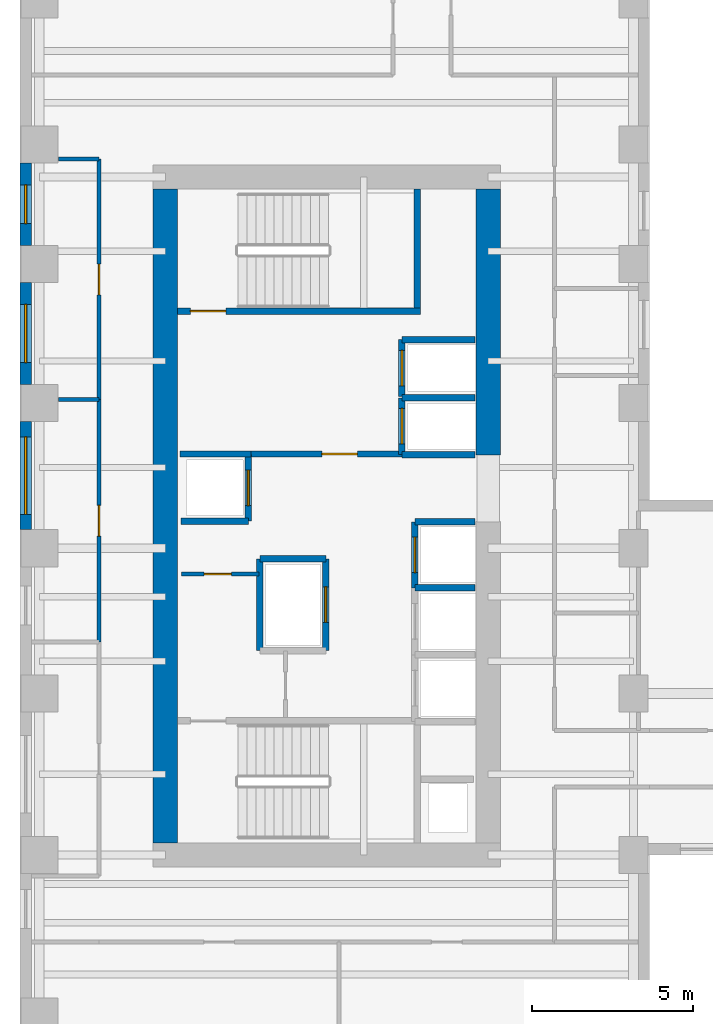
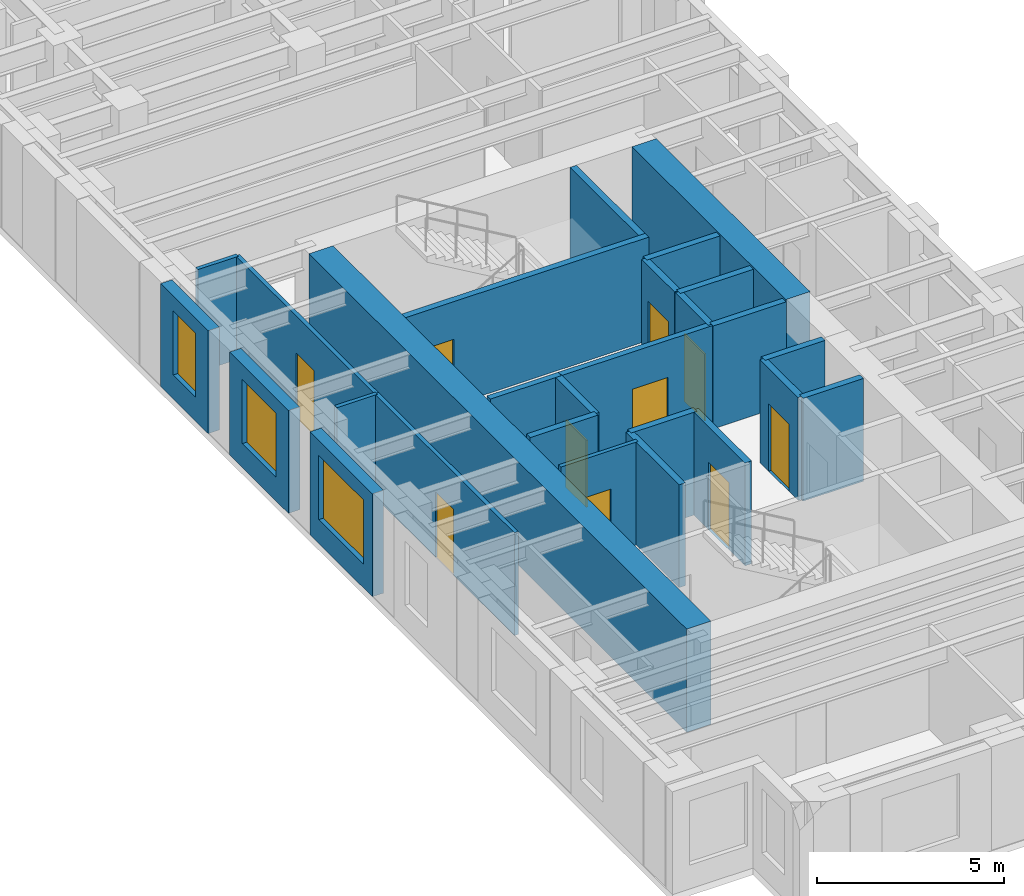
# One storey, part 6 of 12: 27 walls, 10 doors, 3 windows, 13 openings.
"""IFC4 building model written with IfcOpenShell, lengths in metres."""

from ifc_helpers import new_model, si_unit, direction, frame, frame_2d, origin, place, context, subcontext, project, spatial, rectangle, extrude, source, transform, mapped, material, layer, layer_set, type_object, element, fill, save


model = new_model("IFC4")

# Units and contexts
model_context = context("Model", 3, precision=1e-05, world=origin(), true_north=direction((0.0, 1.0)))
body_context = subcontext(model_context, "Body", "Model", "MODEL_VIEW")
ifc_project = project(units=[si_unit("LENGTHUNIT", "METRE"), si_unit("AREAUNIT", "SQUARE_METRE"), si_unit("VOLUMEUNIT", "CUBIC_METRE"), si_unit("PLANEANGLEUNIT", "RADIAN"), si_unit("MASSUNIT", "GRAM", prefix="KILO")], contexts=[model_context])

# Site, building, storey
site_placement = place(None, origin())
site = spatial("IfcSite", under=ifc_project, at=site_placement, CompositionType="ELEMENT")
building_placement = place(site_placement, origin())
building = spatial("IfcBuilding", under=site, at=building_placement, Name="Kharzan Plaza Tower", CompositionType="ELEMENT")
storey_placement = place(building_placement, frame((0.0, 0.0, 117.0)))
storey = spatial("IfcBuildingStorey", under=building, at=storey_placement, Name="L31", CompositionType="ELEMENT", Elevation=117.0)

# Wall, opening, window
ifc_material_1 = material(Name="Concrete C40/50", Category="concrete")
ifc_layer_1 = layer(ifc_material_1, 0.35009765625)
ifc_layer_set_1 = layer_set([ifc_layer_1], Name="Concrete C40/50")
wall_type_1 = type_object("IfcWallType", Name="WL-EXT-MAS-Z2", PredefinedType="SOLIDWALL", material=ifc_layer_set_1)
wall_1_placement = place(storey_placement, frame((0.175048828125, 29.927001953125, 0.0), z_axis=(0.0, 0.0, 1.0), x_axis=(0.0, -1.0, 0.0)))
wall_1 = element("IfcWall", 1, at=wall_1_placement, inside=storey, type_object=wall_type_1, Name="L31 Masonry-Frame Exterior Wall 20", PredefinedType="SOLIDWALL", context=body_context, shape_type="SweptSolid", body=[
    extrude(rectangle(XDim=2.553955078125, YDim=0.35009765625, at=frame_2d((1.27685546875, 0.0))), origin(), (0.0, 0.0, 1.0), 3.364990234375),
])
opening_1_placement = place(wall_1_placement, frame((0.677001953125, 0.0, 0.780029296875)))
opening_1 = element("IfcOpeningElement", 2, at=opening_1_placement, cuts=wall_1, Name="Opening W3", PredefinedType="OPENING", context=body_context, shape_type="SweptSolid", body=[
    extrude(rectangle(XDim=1.199951171875, YDim=2.10009765625, at=frame_2d((0.60009765625, 1.050048828125))), frame((0.0, 0.18505859375, 0.0), z_axis=(0.0, -1.0, 0.0), x_axis=(1.0, 0.0, 0.0)), (0.0, 0.0, 1.0), 0.3701171875),
])
ifc_material_2 = material(Name="Low-E Double Glazing", Category="glass")
window_type_1 = type_object("IfcWindowType", Name="WN-REC-1200x2100", PartitioningType="SINGLE_PANEL", PredefinedType="WINDOW", material=ifc_material_2)
shared_shape_1 = source(origin(), body_context, "Body", "SweptSolid", [
    extrude(rectangle(XDim=1.199951171875, YDim=2.10009765625, at=frame_2d((0.60009765625, 1.050048828125))), frame((0.0, 0.030029296875, 0.0), z_axis=(0.0, -1.0, 0.0), x_axis=(1.0, 0.0, 0.0)), (0.0, 0.0, 1.0), 0.06005859375),
])
window_1_placement = place(opening_1_placement, origin())
window_1 = element("IfcWindow", 3, at=window_1_placement, inside=storey, type_object=window_type_1, Name="L31 Recessed Solar-Control Window 20-1", OverallHeight=2.10009765625, OverallWidth=1.199951171875, PartitioningType="SINGLE_PANEL", PredefinedType="WINDOW", context=body_context, shape_type="MappedRepresentation", body=[
    mapped(shared_shape_1, transform((0.0, 0.0, 0.0), x_axis=(1.0, 0.0, 0.0), y_axis=(0.0, 1.0, 0.0), z_axis=(0.0, 0.0, 1.0))),
])
fill(opening_1, window_1)

wall_2_placement = place(storey_placement, frame((0.175048828125, 26.22705078125, 0.0), z_axis=(0.0, 0.0, 1.0), x_axis=(0.0, -1.0, 0.0)))
wall_2 = element("IfcWall", 4, at=wall_2_placement, inside=storey, type_object=wall_type_1, Name="L31 Masonry-Frame Exterior Wall 21", PredefinedType="SOLIDWALL", context=body_context, shape_type="SweptSolid", body=[
    extrude(rectangle(XDim=3.154052734375, YDim=0.35009765625, at=frame_2d((1.5771484375, 0.0))), origin(), (0.0, 0.0, 1.0), 3.364990234375),
])
opening_2_placement = place(wall_2_placement, frame((0.677001953125, 0.0, 0.780029296875)))
opening_2 = element("IfcOpeningElement", 5, at=opening_2_placement, cuts=wall_2, Name="Opening W1", PredefinedType="OPENING", context=body_context, shape_type="SweptSolid", body=[
    extrude(rectangle(XDim=1.800048828125, YDim=2.10009765625, at=frame_2d((0.89990234375, 1.050048828125))), frame((0.0, 0.18505859375, 0.0), z_axis=(0.0, -1.0, 0.0), x_axis=(1.0, 0.0, 0.0)), (0.0, 0.0, 1.0), 0.3701171875),
])
window_type_2 = type_object("IfcWindowType", Name="WN-REC-1800x2100", PartitioningType="SINGLE_PANEL", PredefinedType="WINDOW", material=ifc_material_2)
shared_shape_2 = source(origin(), body_context, "Body", "SweptSolid", [
    extrude(rectangle(XDim=1.800048828125, YDim=2.10009765625, at=frame_2d((0.89990234375, 1.050048828125))), frame((0.0, 0.030029296875, 0.0), z_axis=(0.0, -1.0, 0.0), x_axis=(1.0, 0.0, 0.0)), (0.0, 0.0, 1.0), 0.06005859375),
])
window_2_placement = place(opening_2_placement, origin())
window_2 = element("IfcWindow", 6, at=window_2_placement, inside=storey, type_object=window_type_2, Name="L31 Recessed Solar-Control Window 21-1", OverallHeight=2.10009765625, OverallWidth=1.800048828125, PartitioningType="SINGLE_PANEL", PredefinedType="WINDOW", context=body_context, shape_type="MappedRepresentation", body=[
    mapped(shared_shape_2, transform((0.0, 0.0, 0.0), x_axis=(1.0, 0.0, 0.0), y_axis=(0.0, 1.0, 0.0), z_axis=(0.0, 0.0, 1.0))),
])
fill(opening_2, window_2)

wall_3_placement = place(storey_placement, frame((0.175048828125, 21.927001953125, 0.0), z_axis=(0.0, 0.0, 1.0), x_axis=(0.0, -1.0, 0.0)))
wall_3 = element("IfcWall", 7, at=wall_3_placement, inside=storey, type_object=wall_type_1, Name="L31 Masonry-Frame Exterior Wall 22", PredefinedType="SOLIDWALL", context=body_context, shape_type="SweptSolid", body=[
    extrude(rectangle(XDim=3.35400390625, YDim=0.35009765625, at=frame_2d((1.677001953125, 0.0))), origin(), (0.0, 0.0, 1.0), 3.364990234375),
])
opening_3_placement = place(wall_3_placement, frame((0.47705078125, 0.0, 0.780029296875)))
opening_3 = element("IfcOpeningElement", 8, at=opening_3_placement, cuts=wall_3, Name="Opening W2", PredefinedType="OPENING", context=body_context, shape_type="SweptSolid", body=[
    extrude(rectangle(XDim=2.39990234375, YDim=2.10009765625, at=frame_2d((1.199951171875, 1.050048828125))), frame((0.0, 0.18505859375, 0.0), z_axis=(0.0, -1.0, 0.0), x_axis=(1.0, 0.0, 0.0)), (0.0, 0.0, 1.0), 0.3701171875),
])
window_type_3 = type_object("IfcWindowType", Name="WN-REC-2400x2100", PartitioningType="SINGLE_PANEL", PredefinedType="WINDOW", material=ifc_material_2)
shared_shape_3 = source(origin(), body_context, "Body", "SweptSolid", [
    extrude(rectangle(XDim=2.39990234375, YDim=2.10009765625, at=frame_2d((1.199951171875, 1.050048828125))), frame((0.0, 0.030029296875, 0.0), z_axis=(0.0, -1.0, 0.0), x_axis=(1.0, 0.0, 0.0)), (0.0, 0.0, 1.0), 0.06005859375),
])
window_3_placement = place(opening_3_placement, origin())
window_3 = element("IfcWindow", 9, at=window_3_placement, inside=storey, type_object=window_type_3, Name="L31 Wide Recessed Solar-Control Window 22-1", OverallHeight=2.10009765625, OverallWidth=2.39990234375, PartitioningType="SINGLE_PANEL", PredefinedType="WINDOW", context=body_context, shape_type="MappedRepresentation", body=[
    mapped(shared_shape_3, transform((0.0, 0.0, 0.0), x_axis=(1.0, 0.0, 0.0), y_axis=(0.0, 1.0, 0.0), z_axis=(0.0, 0.0, 1.0))),
])
fill(opening_3, window_3)

# Wall, opening, door
ifc_layer_2 = layer(ifc_material_1, 0.179931640625)
ifc_layer_set_2 = layer_set([ifc_layer_2], Name="Concrete C40/50")
wall_type_2 = type_object("IfcWallType", Name="WL-INT-FIRE-180", PredefinedType="PARTITIONING", material=ifc_layer_set_2)
wall_4_placement = place(storey_placement, frame((7.14990234375, 20.919921875, 0.0), z_axis=(0.0, 0.0, 1.0), x_axis=(1.0, 0.0, 0.0)))
wall_4 = element("IfcWall", 10, at=wall_4_placement, inside=storey, type_object=wall_type_2, Name="L31 Interior Partition CA-FF-S", PredefinedType="PARTITIONING", context=body_context, shape_type="SweptSolid", body=[
    extrude(rectangle(XDim=4.68017578125, YDim=0.179931640625, at=frame_2d((2.340087890625, 0.0))), origin(), (0.0, 0.0, 1.0), 3.364990234375),
])
opening_4_placement = place(wall_4_placement, frame((2.199951171875, 0.0, 0.0)))
opening_4 = element("IfcOpeningElement", 11, at=opening_4_placement, cuts=wall_4, Name="Opening FD1", PredefinedType="OPENING", context=body_context, shape_type="SweptSolid", body=[
    extrude(rectangle(XDim=1.10009765625, YDim=2.14990234375, at=frame_2d((0.550048828125, 1.074951171875))), frame((0.0, 0.099853515625, 0.0), z_axis=(0.0, -1.0, 0.0), x_axis=(1.0, 0.0, 0.0)), (0.0, 0.0, 1.0), 0.199951171875),
])
ifc_material_3 = material(Name="Fire-Rated Acoustic Vision-Panel Steel", Category="steel")
door_type_1 = type_object("IfcDoorType", Name="DR-FIRE-LOBBY", OperationType="NOTDEFINED", PredefinedType="DOOR", material=ifc_material_3)
shared_shape_4 = source(origin(), body_context, "Body", "SweptSolid", [
    extrude(rectangle(XDim=1.10009765625, YDim=2.14990234375, at=frame_2d((0.550048828125, 1.074951171875))), frame((0.0, 0.02490234375, 0.0), z_axis=(0.0, -1.0, 0.0), x_axis=(1.0, 0.0, 0.0)), (0.0, 0.0, 1.0), 0.050048828125),
])
door_1_placement = place(opening_4_placement, origin())
door_1 = element("IfcDoor", 12, at=door_1_placement, inside=storey, type_object=door_type_1, Name="L31 Firefighting Lobby Door", OperationType="SINGLE_SWING_RIGHT", OverallHeight=2.14990234375, OverallWidth=1.10009765625, PredefinedType="DOOR", context=body_context, shape_type="MappedRepresentation", body=[
    mapped(shared_shape_4, transform((0.0, 0.0, 0.0), x_axis=(1.0, 0.0, 0.0), y_axis=(0.0, 1.0, 0.0), z_axis=(0.0, 0.0, 1.0))),
])
fill(opening_4, door_1)

ifc_material_4 = material(Name="Fire-Rated Gypsum Board Partition", Category="gypsum")
ifc_layer_3 = layer(ifc_material_4, 0.125)
ifc_layer_set_3 = layer_set([ifc_layer_3], Name="Fire-Rated Gypsum Board Partition")
wall_type_3 = type_object("IfcWallType", Name="WL-INT-PART-125", PredefinedType="PARTITIONING", material=ifc_layer_set_3)
wall_5_placement = place(storey_placement, frame((5.0, 17.199951171875, 0.0), z_axis=(0.0, 0.0, 1.0), x_axis=(1.0, 0.0, 0.0)))
wall_5 = element("IfcWall", 13, at=wall_5_placement, inside=storey, type_object=wall_type_3, Name="L31 Interior Partition CA-K1N2", PredefinedType="PARTITIONING", context=body_context, shape_type="SweptSolid", body=[
    extrude(rectangle(XDim=2.39990234375, YDim=0.125, at=frame_2d((1.199951171875, 0.0))), origin(), (0.0, 0.0, 1.0), 3.364990234375),
])
opening_5_placement = place(wall_5_placement, frame((0.699951171875, 0.0, 0.0)))
opening_5 = element("IfcOpeningElement", 14, at=opening_5_placement, cuts=wall_5, Name="Opening RD1", PredefinedType="OPENING", context=body_context, shape_type="SweptSolid", body=[
    extrude(rectangle(XDim=0.85009765625, YDim=2.10009765625, at=frame_2d((0.425048828125, 1.050048828125))), frame((0.0, 0.072509765625, 0.0), z_axis=(0.0, -1.0, 0.0), x_axis=(1.0, 0.0, 0.0)), (0.0, 0.0, 1.0), 0.14501953125),
])
ifc_material_5 = material(Name="Powder-Coated Fire-Rated Steel", Category="steel")
door_type_2 = type_object("IfcDoorType", Name="DR-RISER-900", OperationType="NOTDEFINED", PredefinedType="DOOR", material=ifc_material_5)
shared_shape_5 = source(origin(), body_context, "Body", "SweptSolid", [
    extrude(rectangle(XDim=0.85009765625, YDim=2.10009765625, at=frame_2d((0.425048828125, 1.050048828125))), frame((0.0, 0.02490234375, 0.0), z_axis=(0.0, -1.0, 0.0), x_axis=(1.0, 0.0, 0.0)), (0.0, 0.0, 1.0), 0.050048828125),
])
door_2_placement = place(opening_5_placement, origin())
door_2 = element("IfcDoor", 15, at=door_2_placement, inside=storey, type_object=door_type_2, Name="L31 Core Storage Room Door", OperationType="SINGLE_SWING_LEFT", OverallHeight=2.10009765625, OverallWidth=0.85009765625, PredefinedType="DOOR", context=body_context, shape_type="MappedRepresentation", body=[
    mapped(shared_shape_5, transform((0.0, 0.0, 0.0), x_axis=(1.0, 0.0, 0.0), y_axis=(0.0, 1.0, 0.0), z_axis=(0.0, 0.0, 1.0))),
])
fill(opening_5, door_2)

wall_6_placement = place(storey_placement, frame((2.449951171875, 15.10009765625, 0.0), z_axis=(0.0, 0.0, 1.0), x_axis=(0.0, 1.0, 0.0)))
wall_6 = element("IfcWall", 16, at=wall_6_placement, inside=storey, type_object=wall_type_3, Name="L31 Interior Partition SH-WW-2", PredefinedType="PARTITIONING", context=body_context, shape_type="SweptSolid", body=[
    extrude(rectangle(XDim=7.5, YDim=0.125, at=frame_2d((3.75, 0.0))), origin(), (0.0, 0.0, 1.0), 3.364990234375),
])
opening_6_placement = place(wall_6_placement, frame((3.27490234375, 0.0, 0.0)))
opening_6 = element("IfcOpeningElement", 17, at=opening_6_placement, cuts=wall_6, Name="Opening OD1", PredefinedType="OPENING", context=body_context, shape_type="SweptSolid", body=[
    extrude(rectangle(XDim=0.949951171875, YDim=2.14990234375, at=frame_2d((0.47509765625, 1.074951171875))), frame((0.0, 0.072509765625, 0.0), z_axis=(0.0, -1.0, 0.0), x_axis=(1.0, 0.0, 0.0)), (0.0, 0.0, 1.0), 0.14501953125),
])
ifc_material_6 = material(Name="Acoustic Solid-Core Stained Oak", Category="timber")
door_type_3 = type_object("IfcDoorType", Name="DR-OFF-SINGLE", OperationType="NOTDEFINED", PredefinedType="DOOR", material=ifc_material_6)
shared_shape_6 = source(origin(), body_context, "Body", "SweptSolid", [
    extrude(rectangle(XDim=0.949951171875, YDim=2.14990234375, at=frame_2d((0.47509765625, 1.074951171875))), frame((0.0, 0.02490234375, 0.0), z_axis=(0.0, -1.0, 0.0), x_axis=(1.0, 0.0, 0.0)), (0.0, 0.0, 1.0), 0.050048828125),
])
door_3_placement = place(opening_6_placement, origin())
door_3 = element("IfcDoor", 18, at=door_3_placement, inside=storey, type_object=door_type_3, Name="L31 Operations Control Office Door", OperationType="SINGLE_SWING_LEFT", OverallHeight=2.14990234375, OverallWidth=0.949951171875, PredefinedType="DOOR", context=body_context, shape_type="MappedRepresentation", body=[
    mapped(shared_shape_6, transform((0.0, 0.0, 0.0), x_axis=(1.0, 0.0, 0.0), y_axis=(0.0, 1.0, 0.0), z_axis=(0.0, 0.0, 1.0))),
])
fill(opening_6, door_3)

wall_7_placement = place(storey_placement, frame((2.449951171875, 22.60009765625, 0.0), z_axis=(0.0, 0.0, 1.0), x_axis=(0.0, 1.0, 0.0)))
wall_7 = element("IfcWall", 19, at=wall_7_placement, inside=storey, type_object=wall_type_3, Name="L31 Interior Partition SH-WW-3", PredefinedType="PARTITIONING", context=body_context, shape_type="SweptSolid", body=[
    extrude(rectangle(XDim=7.449951171875, YDim=0.125, at=frame_2d((3.72509765625, 0.0))), origin(), (0.0, 0.0, 1.0), 3.364990234375),
])
opening_7_placement = place(wall_7_placement, frame((3.25, 0.0, 0.0)))
opening_7 = element("IfcOpeningElement", 20, at=opening_7_placement, cuts=wall_7, Name="Opening OD1", PredefinedType="OPENING", context=body_context, shape_type="SweptSolid", body=[
    extrude(rectangle(XDim=0.949951171875, YDim=2.14990234375, at=frame_2d((0.47509765625, 1.074951171875))), frame((0.0, 0.072509765625, 0.0), z_axis=(0.0, -1.0, 0.0), x_axis=(1.0, 0.0, 0.0)), (0.0, 0.0, 1.0), 0.14501953125),
])
door_4_placement = place(opening_7_placement, origin())
door_4 = element("IfcDoor", 21, at=door_4_placement, inside=storey, type_object=door_type_3, Name="L31 HSE Management Office Door", OperationType="SINGLE_SWING_RIGHT", OverallHeight=2.14990234375, OverallWidth=0.949951171875, PredefinedType="DOOR", context=body_context, shape_type="MappedRepresentation", body=[
    mapped(shared_shape_6, transform((0.0, 0.0, 0.0), x_axis=(1.0, 0.0, 0.0), y_axis=(0.0, 1.0, 0.0), z_axis=(0.0, 0.0, 1.0))),
])
fill(opening_7, door_4)

ifc_layer_4 = layer(ifc_material_1, 0.199951171875)
ifc_layer_set_4 = layer_set([ifc_layer_4], Name="Concrete C40/50")
wall_type_4 = type_object("IfcWallType", Name="WL-INT-SHAFT-200", PredefinedType="PARTITIONING", material=ifc_layer_set_4)
wall_8_placement = place(storey_placement, frame((11.830078125, 20.89990234375, 0.0), z_axis=(0.0, 0.0, 1.0), x_axis=(0.0, 1.0, 0.0)))
wall_8 = element("IfcWall", 22, at=wall_8_placement, inside=storey, type_object=wall_type_4, Name="L31 Interior Partition SHF-FFL-1-W", PredefinedType="PARTITIONING", context=body_context, shape_type="SweptSolid", body=[
    extrude(rectangle(XDim=1.760009765625, YDim=0.199951171875, at=frame_2d((0.8798828125, 0.0))), origin(), (0.0, 0.0, 1.0), 3.364990234375),
])
opening_8_placement = place(wall_8_placement, frame((0.330078125, 0.0, 0.0)))
opening_8 = element("IfcOpeningElement", 23, at=opening_8_placement, cuts=wall_8, Name="Opening LD", PredefinedType="OPENING", context=body_context, shape_type="SweptSolid", body=[
    extrude(rectangle(XDim=1.10009765625, YDim=2.199951171875, at=frame_2d((0.550048828125, 1.10009765625))), frame((0.0, 0.10986328125, 0.0), z_axis=(0.0, -1.0, 0.0), x_axis=(1.0, 0.0, 0.0)), (0.0, 0.0, 1.0), 0.219970703125),
])
ifc_material_7 = material(Name="Brushed Stainless Steel", Category="steel")
door_type_4 = type_object("IfcDoorType", Name="DR-LIFT-SLIDE", OperationType="SLIDING_TO_LEFT", PredefinedType="DOOR", material=ifc_material_7)
shared_shape_7 = source(origin(), body_context, "Body", "SweptSolid", [
    extrude(rectangle(XDim=1.10009765625, YDim=2.199951171875, at=frame_2d((0.550048828125, 1.10009765625))), frame((0.0, 0.02490234375, 0.0), z_axis=(0.0, -1.0, 0.0), x_axis=(1.0, 0.0, 0.0)), (0.0, 0.0, 1.0), 0.050048828125),
])
door_5_placement = place(opening_8_placement, origin())
door_5 = element("IfcDoor", 24, at=door_5_placement, inside=storey, type_object=door_type_4, Name="L31 Firefighting Lift FFL-1 Sliding Landing Door", OperationType="SLIDING_TO_LEFT", OverallHeight=2.199951171875, OverallWidth=1.10009765625, PredefinedType="DOOR", context=body_context, shape_type="MappedRepresentation", body=[
    mapped(shared_shape_7, transform((0.0, 0.0, 0.0), x_axis=(1.0, 0.0, 0.0), y_axis=(0.0, 1.0, 0.0), z_axis=(0.0, 0.0, 1.0))),
])
fill(opening_8, door_5)

wall_9_placement = place(storey_placement, frame((11.830078125, 22.699951171875, 0.0), z_axis=(0.0, 0.0, 1.0), x_axis=(0.0, 1.0, 0.0)))
wall_9 = element("IfcWall", 25, at=wall_9_placement, inside=storey, type_object=wall_type_4, Name="L31 Interior Partition SHF-FFL-2-W", PredefinedType="PARTITIONING", context=body_context, shape_type="SweptSolid", body=[
    extrude(rectangle(XDim=1.760009765625, YDim=0.199951171875, at=frame_2d((0.8798828125, 0.0))), origin(), (0.0, 0.0, 1.0), 3.364990234375),
])
opening_9_placement = place(wall_9_placement, frame((0.330078125, 0.0, 0.0)))
opening_9 = element("IfcOpeningElement", 26, at=opening_9_placement, cuts=wall_9, Name="Opening LD", PredefinedType="OPENING", context=body_context, shape_type="SweptSolid", body=[
    extrude(rectangle(XDim=1.10009765625, YDim=2.199951171875, at=frame_2d((0.550048828125, 1.10009765625))), frame((0.0, 0.10986328125, 0.0), z_axis=(0.0, -1.0, 0.0), x_axis=(1.0, 0.0, 0.0)), (0.0, 0.0, 1.0), 0.219970703125),
])
door_6_placement = place(opening_9_placement, origin())
door_6 = element("IfcDoor", 27, at=door_6_placement, inside=storey, type_object=door_type_4, Name="L31 Firefighting Lift FFL-2 Sliding Landing Door", OperationType="SLIDING_TO_LEFT", OverallHeight=2.199951171875, OverallWidth=1.10009765625, PredefinedType="DOOR", context=body_context, shape_type="MappedRepresentation", body=[
    mapped(shared_shape_7, transform((0.0, 0.0, 0.0), x_axis=(1.0, 0.0, 0.0), y_axis=(0.0, 1.0, 0.0), z_axis=(0.0, 0.0, 1.0))),
])
fill(opening_9, door_6)

wall_10_placement = place(storey_placement, frame((12.22998046875, 16.77001953125, 0.0), z_axis=(0.0, 0.0, 1.0), x_axis=(0.0, 1.0, 0.0)))
wall_10 = element("IfcWall", 28, at=wall_10_placement, inside=storey, type_object=wall_type_4, Name="L31 Interior Partition SHF-PL-H3-W", PredefinedType="PARTITIONING", context=body_context, shape_type="SweptSolid", body=[
    extrude(rectangle(XDim=2.050048828125, YDim=0.199951171875, at=frame_2d((1.02490234375, 0.0))), origin(), (0.0, 0.0, 1.0), 3.364990234375),
])
opening_10_placement = place(wall_10_placement, frame((0.47509765625, 0.0, 0.0)))
opening_10 = element("IfcOpeningElement", 29, at=opening_10_placement, cuts=wall_10, Name="Opening LD", PredefinedType="OPENING", context=body_context, shape_type="SweptSolid", body=[
    extrude(rectangle(XDim=1.10009765625, YDim=2.199951171875, at=frame_2d((0.550048828125, 1.10009765625))), frame((0.0, 0.10986328125, 0.0), z_axis=(0.0, -1.0, 0.0), x_axis=(1.0, 0.0, 0.0)), (0.0, 0.0, 1.0), 0.219970703125),
])
door_7_placement = place(opening_10_placement, origin())
door_7 = element("IfcDoor", 30, at=door_7_placement, inside=storey, type_object=door_type_4, Name="L31 High-Rise Passenger Lift PL-H3 Sliding Landing Door", OperationType="SLIDING_TO_LEFT", OverallHeight=2.199951171875, OverallWidth=1.10009765625, PredefinedType="DOOR", context=body_context, shape_type="MappedRepresentation", body=[
    mapped(shared_shape_7, transform((0.0, 0.0, 0.0), x_axis=(1.0, 0.0, 0.0), y_axis=(0.0, 1.0, 0.0), z_axis=(0.0, 0.0, 1.0))),
])
fill(opening_10, door_7)

wall_11_placement = place(storey_placement, frame((7.070068359375, 18.840087890625, 0.0), z_axis=(0.0, 0.0, 1.0), x_axis=(0.0, 1.0, 0.0)))
wall_11 = element("IfcWall", 31, at=wall_11_placement, inside=storey, type_object=wall_type_4, Name="L31 Interior Partition SHF-PL-H4-E", PredefinedType="PARTITIONING", context=body_context, shape_type="SweptSolid", body=[
    extrude(rectangle(XDim=2.059814453125, YDim=0.199951171875, at=frame_2d((1.02978515625, 0.0))), origin(), (0.0, 0.0, 1.0), 3.364990234375),
])
opening_11_placement = place(wall_11_placement, frame((0.47998046875, 0.0, 0.0)))
opening_11 = element("IfcOpeningElement", 32, at=opening_11_placement, cuts=wall_11, Name="Opening LD", PredefinedType="OPENING", context=body_context, shape_type="SweptSolid", body=[
    extrude(rectangle(XDim=1.10009765625, YDim=2.199951171875, at=frame_2d((0.550048828125, 1.10009765625))), frame((0.0, 0.10986328125, 0.0), z_axis=(0.0, -1.0, 0.0), x_axis=(1.0, 0.0, 0.0)), (0.0, 0.0, 1.0), 0.219970703125),
])
door_8_placement = place(opening_11_placement, origin())
door_8 = element("IfcDoor", 33, at=door_8_placement, inside=storey, type_object=door_type_4, Name="L31 High-Rise Passenger Lift PL-H4 Sliding Landing Door", OperationType="SLIDING_TO_LEFT", OverallHeight=2.199951171875, OverallWidth=1.10009765625, PredefinedType="DOOR", context=body_context, shape_type="MappedRepresentation", body=[
    mapped(shared_shape_7, transform((0.0, 0.0, 0.0), x_axis=(1.0, 0.0, 0.0), y_axis=(0.0, 1.0, 0.0), z_axis=(0.0, 0.0, 1.0))),
])
fill(opening_11, door_8)

wall_12_placement = place(storey_placement, frame((9.469970703125, 14.830078125, 0.0), z_axis=(0.0, 0.0, 1.0), x_axis=(0.0, 1.0, 0.0)))
wall_12 = element("IfcWall", 34, at=wall_12_placement, inside=storey, type_object=wall_type_4, Name="L31 Interior Partition SHF-SVL-1-E", PredefinedType="PARTITIONING", context=body_context, shape_type="SweptSolid", body=[
    extrude(rectangle(XDim=2.83984375, YDim=0.199951171875, at=frame_2d((1.419921875, 0.0))), origin(), (0.0, 0.0, 1.0), 3.364990234375),
])
opening_12_placement = place(wall_12_placement, frame((0.8701171875, 0.0, 0.0)))
opening_12 = element("IfcOpeningElement", 35, at=opening_12_placement, cuts=wall_12, Name="Opening LD", PredefinedType="OPENING", context=body_context, shape_type="SweptSolid", body=[
    extrude(rectangle(XDim=1.10009765625, YDim=2.199951171875, at=frame_2d((0.550048828125, 1.10009765625))), frame((0.0, 0.10986328125, 0.0), z_axis=(0.0, -1.0, 0.0), x_axis=(1.0, 0.0, 0.0)), (0.0, 0.0, 1.0), 0.219970703125),
])
door_9_placement = place(opening_12_placement, origin())
door_9 = element("IfcDoor", 36, at=door_9_placement, inside=storey, type_object=door_type_4, Name="L31 Service Lift SVL-1 Sliding Landing Door", OperationType="SLIDING_TO_LEFT", OverallHeight=2.199951171875, OverallWidth=1.10009765625, PredefinedType="DOOR", context=body_context, shape_type="MappedRepresentation", body=[
    mapped(shared_shape_7, transform((0.0, 0.0, 0.0), x_axis=(1.0, 0.0, 0.0), y_axis=(0.0, 1.0, 0.0), z_axis=(0.0, 0.0, 1.0))),
])
fill(opening_12, door_9)

ifc_material_8 = material(Name="Concrete C50/60", Category="concrete")
ifc_layer_5 = layer(ifc_material_8, 0.199951171875)
ifc_layer_set_5 = layer_set([ifc_layer_5], Name="Concrete C50/60")
wall_type_5 = type_object("IfcWallType", Name="WL-SHAFT-RC200", PredefinedType="SHEAR", material=ifc_layer_set_5)
wall_13_placement = place(storey_placement, frame((4.876953125, 25.344970703125, 0.0), z_axis=(0.0, 0.0, 1.0), x_axis=(1.0, 0.0, 0.0)))
wall_13 = element("IfcWall", 37, at=wall_13_placement, inside=storey, type_object=wall_type_5, Name="L31 Stair ST-2 South RC Shaft Wall", PredefinedType="SHEAR", context=body_context, shape_type="SweptSolid", body=[
    extrude(rectangle(XDim=7.528076171875, YDim=0.199951171875, at=frame_2d((3.76416015625, 0.0))), origin(), (0.0, 0.0, 1.0), 3.3798828125),
])
opening_13_placement = place(wall_13_placement, frame((0.39990234375, 0.0, 0.0)))
opening_13 = element("IfcOpeningElement", 38, at=opening_13_placement, cuts=wall_13, Name="Opening SD1", PredefinedType="OPENING", context=body_context, shape_type="SweptSolid", body=[
    extrude(rectangle(XDim=1.10009765625, YDim=2.14990234375, at=frame_2d((0.550048828125, 1.074951171875))), frame((0.0, 0.10986328125, 0.0), z_axis=(0.0, -1.0, 0.0), x_axis=(1.0, 0.0, 0.0)), (0.0, 0.0, 1.0), 0.219970703125),
])
ifc_material_9 = material(Name="Fire-Rated Hollow Galvanized Steel", Category="steel")
door_type_5 = type_object("IfcDoorType", Name="DR-STAIR-FD120", OperationType="NOTDEFINED", PredefinedType="DOOR", material=ifc_material_9)
shared_shape_8 = source(origin(), body_context, "Body", "SweptSolid", [
    extrude(rectangle(XDim=1.10009765625, YDim=2.14990234375, at=frame_2d((0.550048828125, 1.074951171875))), frame((0.0, 0.02490234375, 0.0), z_axis=(0.0, -1.0, 0.0), x_axis=(1.0, 0.0, 0.0)), (0.0, 0.0, 1.0), 0.050048828125),
])
door_10_placement = place(opening_13_placement, origin())
door_10 = element("IfcDoor", 39, at=door_10_placement, inside=storey, type_object=door_type_5, Name="L31 Stair ST-2 Fire Exit Door", OperationType="SINGLE_SWING_LEFT", OverallHeight=2.14990234375, OverallWidth=1.10009765625, PredefinedType="DOOR", context=body_context, shape_type="MappedRepresentation", body=[
    mapped(shared_shape_8, transform((0.0, 0.0, 0.0), x_axis=(1.0, 0.0, 0.0), y_axis=(0.0, 1.0, 0.0), z_axis=(0.0, 0.0, 1.0))),
])
fill(opening_13, door_10)

# Walls
shared_shape_9 = source(origin(), body_context, "Body", "SweptSolid", [
    extrude(rectangle(XDim=2.090087890625, YDim=0.199951171875, at=frame_2d((1.044921875, 0.0))), origin(), (0.0, 0.0, 1.0), 3.364990234375),
])
wall_14_placement = place(storey_placement, frame((4.97998046875, 18.840087890625, 0.0), z_axis=(0.0, 0.0, 1.0), x_axis=(1.0, 0.0, 0.0)))
element("IfcWall", 40, at=wall_14_placement, inside=storey, type_object=wall_type_4, Name="L31 Interior Partition SHF-PL-H4-S", PredefinedType="PARTITIONING", context=body_context, shape_type="MappedRepresentation", body=[
    mapped(shared_shape_9, transform((0.0, 0.0, 0.0), x_axis=(1.0, 0.0, 0.0), y_axis=(0.0, 1.0, 0.0), z_axis=(0.0, 0.0, 1.0))),
])
shared_shape_10 = source(origin(), body_context, "Body", "SweptSolid", [
    extrude(rectangle(XDim=2.0400390625, YDim=0.199951171875, at=frame_2d((1.02001953125, 0.0))), origin(), (0.0, 0.0, 1.0), 3.364990234375),
])
wall_15_placement = place(storey_placement, frame((7.429931640625, 17.669921875, 0.0), z_axis=(0.0, 0.0, 1.0), x_axis=(1.0, 0.0, 0.0)))
element("IfcWall", 41, at=wall_15_placement, inside=storey, type_object=wall_type_4, Name="L31 Interior Partition SHF-SVL-1-N", PredefinedType="PARTITIONING", context=body_context, shape_type="MappedRepresentation", body=[
    mapped(shared_shape_10, transform((0.0, 0.0, 0.0), x_axis=(1.0, 0.0, 0.0), y_axis=(0.0, 1.0, 0.0), z_axis=(0.0, 0.0, 1.0))),
])
shared_shape_11 = source(origin(), body_context, "Body", "SweptSolid", [
    extrude(rectangle(XDim=2.83984375, YDim=0.199951171875, at=frame_2d((1.419921875, 0.0))), origin(), (0.0, 0.0, 1.0), 3.364990234375),
])
wall_16_placement = place(storey_placement, frame((7.429931640625, 14.830078125, 0.0), z_axis=(0.0, 0.0, 1.0), x_axis=(0.0, 1.0, 0.0)))
element("IfcWall", 42, at=wall_16_placement, inside=storey, type_object=wall_type_4, Name="L31 Interior Partition SHF-SVL-1-W", PredefinedType="PARTITIONING", context=body_context, shape_type="MappedRepresentation", body=[
    mapped(shared_shape_11, transform((0.0, 0.0, 0.0), x_axis=(1.0, 0.0, 0.0), y_axis=(0.0, 1.0, 0.0), z_axis=(0.0, 0.0, 1.0))),
])
shared_shape_12 = source(origin(), body_context, "Body", "SweptSolid", [
    extrude(rectangle(XDim=2.199951171875, YDim=0.179931640625, at=frame_2d((1.10009765625, 0.0))), origin(), (0.0, 0.0, 1.0), 3.364990234375),
])
wall_17_placement = place(storey_placement, frame((4.949951171875, 20.919921875, 0.0), z_axis=(0.0, 0.0, 1.0), x_axis=(1.0, 0.0, 0.0)))
element("IfcWall", 43, at=wall_17_placement, inside=storey, type_object=wall_type_2, Name="L31 Interior Partition CA-FF-SW", PredefinedType="PARTITIONING", context=body_context, shape_type="MappedRepresentation", body=[
    mapped(shared_shape_12, transform((0.0, 0.0, 0.0), x_axis=(1.0, 0.0, 0.0), y_axis=(0.0, 1.0, 0.0), z_axis=(0.0, 0.0, 1.0))),
])
shared_shape_13 = source(origin(), body_context, "Body", "SweptSolid", [
    extrude(rectangle(XDim=1.260009765625, YDim=0.125, at=frame_2d((0.6298828125, 0.0))), origin(), (0.0, 0.0, 1.0), 3.364990234375),
])
for number, where, z_axis, x_axis, name in (
    (44, (1.18994140625, 30.050048828125, 0.0), (0.0, 0.0, 1.0), (1.0, 0.0, 0.0), "L31 Interior Partition SH-RWN0"),
    (45, (1.18994140625, 22.60009765625, 0.0), (0.0, 0.0, 1.0), (1.0, 0.0, 0.0), "L31 Interior Partition SH-WH-2"),
):
    element("IfcWall", number, at=place(storey_placement, frame(where, z_axis=z_axis, x_axis=x_axis)), inside=storey, type_object=wall_type_3, Name=name, PredefinedType="PARTITIONING", context=body_context, shape_type="MappedRepresentation", body=[
        mapped(shared_shape_13, transform((0.0, 0.0, 0.0), x_axis=(1.0, 0.0, 0.0), y_axis=(0.0, 1.0, 0.0), z_axis=(0.0, 0.0, 1.0))),
    ])
shared_shape_14 = source(origin(), body_context, "Body", "SweptSolid", [
    extrude(rectangle(XDim=2.264892578125, YDim=0.199951171875, at=frame_2d((1.13232421875, 0.0))), origin(), (0.0, 0.0, 1.0), 3.364990234375),
])
for number, where, z_axis, x_axis, name in (
    (46, (11.830078125, 22.659912109375, 0.0), (0.0, 0.0, 1.0), (1.0, 0.0, 0.0), "L31 Interior Partition SHF-FFL-1-N"),
    (47, (11.830078125, 20.89990234375, 0.0), (0.0, 0.0, 1.0), (1.0, 0.0, 0.0), "L31 Interior Partition SHF-FFL-1-S"),
    (48, (11.830078125, 24.4599609375, 0.0), (0.0, 0.0, 1.0), (1.0, 0.0, 0.0), "L31 Interior Partition SHF-FFL-2-N"),
):
    element("IfcWall", number, at=place(storey_placement, frame(where, z_axis=z_axis, x_axis=x_axis)), inside=storey, type_object=wall_type_4, Name=name, PredefinedType="PARTITIONING", context=body_context, shape_type="MappedRepresentation", body=[
        mapped(shared_shape_14, transform((0.0, 0.0, 0.0), x_axis=(1.0, 0.0, 0.0), y_axis=(0.0, 1.0, 0.0), z_axis=(0.0, 0.0, 1.0))),
    ])
shared_shape_15 = source(origin(), body_context, "Body", "SweptSolid", [
    extrude(rectangle(XDim=1.864990234375, YDim=0.199951171875, at=frame_2d((0.9326171875, 0.0))), origin(), (0.0, 0.0, 1.0), 3.364990234375),
])
for number, where, z_axis, x_axis, name in (
    (49, (12.22998046875, 16.77001953125, 0.0), (0.0, 0.0, 1.0), (1.0, 0.0, 0.0), "L31 Interior Partition SHF-PL-H2-N"),
    (50, (12.22998046875, 18.820068359375, 0.0), (0.0, 0.0, 1.0), (1.0, 0.0, 0.0), "L31 Interior Partition SHF-PL-H3-N"),
):
    element("IfcWall", number, at=place(storey_placement, frame(where, z_axis=z_axis, x_axis=x_axis)), inside=storey, type_object=wall_type_4, Name=name, PredefinedType="PARTITIONING", context=body_context, shape_type="MappedRepresentation", body=[
        mapped(shared_shape_15, transform((0.0, 0.0, 0.0), x_axis=(1.0, 0.0, 0.0), y_axis=(0.0, 1.0, 0.0), z_axis=(0.0, 0.0, 1.0))),
    ])
ifc_material_10 = material(Name="Concrete C60/75", Category="concrete")
ifc_layer_6 = layer(ifc_material_10, 0.75)
ifc_layer_set_6 = layer_set([ifc_layer_6], Name="Concrete C60/75")
wall_type_6 = type_object("IfcWallType", Name="WL-CORE-750", PredefinedType="SHEAR", material=ifc_layer_set_6)
shared_shape_16 = source(origin(), body_context, "Body", "SweptSolid", [
    extrude(rectangle(XDim=8.2451171875, YDim=0.75, at=frame_2d((4.12255859375, 0.0))), origin(), (0.0, 0.0, 1.0), 3.3798828125),
])
wall_18_placement = place(storey_placement, frame((14.5, 20.8798828125, 0.0), z_axis=(0.0, 0.0, 1.0), x_axis=(0.0, 1.0, 0.0)))
element("IfcWall", 51, at=wall_18_placement, inside=storey, type_object=wall_type_6, Name="L31 CORE-A east shear pier 2", PredefinedType="SHEAR", context=body_context, shape_type="MappedRepresentation", body=[
    mapped(shared_shape_16, transform((0.0, 0.0, 0.0), x_axis=(1.0, 0.0, 0.0), y_axis=(0.0, 1.0, 0.0), z_axis=(0.0, 0.0, 1.0))),
])
shared_shape_17 = source(origin(), body_context, "Body", "SweptSolid", [
    extrude(rectangle(XDim=20.25, YDim=0.75, at=frame_2d((10.125, 0.0))), origin(), (0.0, 0.0, 1.0), 3.3798828125),
])
wall_19_placement = place(storey_placement, frame((4.5, 8.875, 0.0), z_axis=(0.0, 0.0, 1.0), x_axis=(0.0, 1.0, 0.0)))
element("IfcWall", 52, at=wall_19_placement, inside=storey, type_object=wall_type_6, Name="L31 CORE-A west RC shear wall", PredefinedType="SHEAR", context=body_context, shape_type="MappedRepresentation", body=[
    mapped(shared_shape_17, transform((0.0, 0.0, 0.0), x_axis=(1.0, 0.0, 0.0), y_axis=(0.0, 1.0, 0.0), z_axis=(0.0, 0.0, 1.0))),
])
shared_shape_18 = source(origin(), body_context, "Body", "SweptSolid", [
    extrude(rectangle(XDim=3.677978515625, YDim=0.199951171875, at=frame_2d((1.8388671875, 0.0))), origin(), (0.0, 0.0, 1.0), 3.3798828125),
])
wall_20_placement = place(storey_placement, frame((12.304931640625, 25.445068359375, 0.0), z_axis=(0.0, 0.0, 1.0), x_axis=(0.0, 1.0, 0.0)))
element("IfcWall", 53, at=wall_20_placement, inside=storey, type_object=wall_type_5, Name="L31 Stair ST-2 East RC Shaft Wall", PredefinedType="SHEAR", context=body_context, shape_type="MappedRepresentation", body=[
    mapped(shared_shape_18, transform((0.0, 0.0, 0.0), x_axis=(1.0, 0.0, 0.0), y_axis=(0.0, 1.0, 0.0), z_axis=(0.0, 0.0, 1.0))),
])

save(model, "model.ifc")
